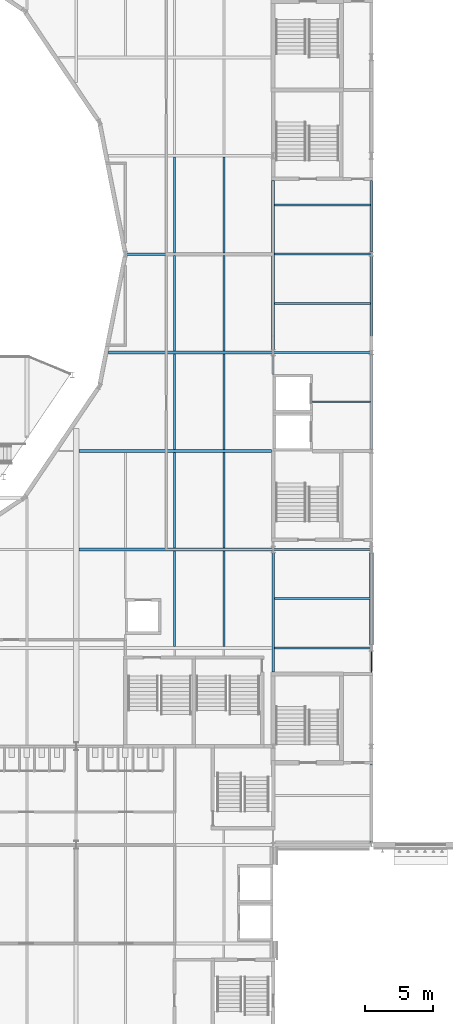
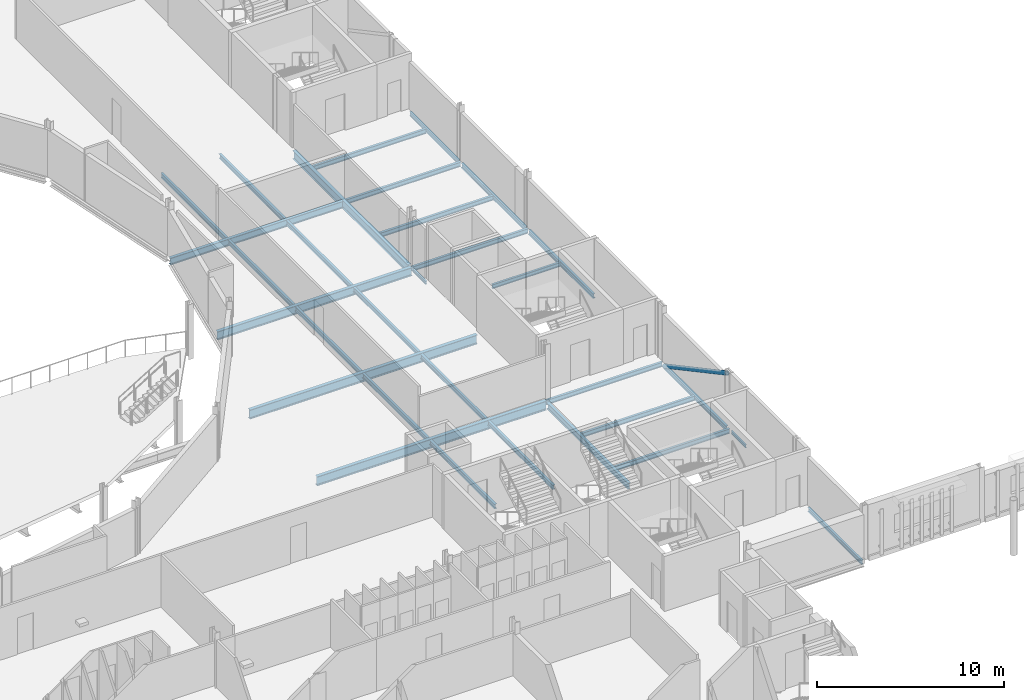
# One storey, part 38 of 124: 31 beams, 1 member.
"""IFC4 building model written with IfcOpenShell, lengths in metres."""

from ifc_helpers import new_model, si_unit, direction, frame, origin, origin_2d, place, context, subcontext, project, spatial, hollow_circle, i_section, extrude, material, material_profile, profile_set, type_object, element, save


model = new_model("IFC4")

# Units and contexts
model_context = context("Model", 3, precision=1e-05, world=origin(), true_north=direction((0.0, 1.0)))
body_context = subcontext(model_context, "Body", "Model", "MODEL_VIEW")
ifc_project = project(units=[si_unit("LENGTHUNIT", "METRE"), si_unit("AREAUNIT", "SQUARE_METRE"), si_unit("VOLUMEUNIT", "CUBIC_METRE"), si_unit("PLANEANGLEUNIT", "RADIAN"), si_unit("MASSUNIT", "GRAM", prefix="KILO")], contexts=[model_context])

# Site, building, storey
site_placement = place(None, origin())
site = spatial("IfcSite", under=ifc_project, at=site_placement, CompositionType="ELEMENT")
building_placement = place(site_placement, origin())
building = spatial("IfcBuilding", under=site, at=building_placement, Name="Kupolbacken Congress Centre", CompositionType="ELEMENT")
storey_placement = place(building_placement, frame((0.0, 0.0, 10.800048828125)))
storey = spatial("IfcBuildingStorey", under=building, at=storey_placement, Name="L03", CompositionType="ELEMENT", Elevation=10.800048828125)

# Beams
ifc_material_1 = material(Name="Steel S355", Category="steel")
ifc_material_profile_1 = material_profile(ifc_material_1, i_section(OverallWidth=0.10009765625, OverallDepth=0.199951171875, WebThickness=0.005615234375, FlangeThickness=0.008544921875, FilletRadius=0.011962890625, at=origin_2d()), Name="IPE 200")
ifc_profile_set_1 = profile_set([ifc_material_profile_1], Name="Steel S355")
beam_type_1 = type_object("IfcBeamType", Name="B01 beam IPE 200", PredefinedType="BEAM", material=ifc_profile_set_1)
beam_1_placement = place(storey_placement, frame((79.199951171875, 77.60009765625, -0.280029296875), z_axis=(0.0, 1.0, 0.0), x_axis=(-1.0, 0.0, 0.0)))
element("IfcBeam", 1, at=beam_1_placement, inside=storey, type_object=beam_type_1, Name="S/floor/P/L03/G034", PredefinedType="BEAM", context=body_context, shape_type="SweptSolid", body=[
    extrude(i_section(OverallWidth=0.10009765625, OverallDepth=0.199951171875, WebThickness=0.005615234375, FlangeThickness=0.008544921875, FilletRadius=0.011962890625, at=origin_2d()), origin(), (0.0, 0.0, 1.0), 1.375),
])
beam_2_placement = place(storey_placement, frame((86.39990234375, 55.800048828125, -0.280029296875), z_axis=(0.0, 1.0, 0.0), x_axis=(-1.0, 0.0, 0.0)))
element("IfcBeam", 2, at=beam_2_placement, inside=storey, type_object=beam_type_1, Name="S/floor/LINK/L03/E002", PredefinedType="BEAM", context=body_context, shape_type="SweptSolid", body=[
    extrude(i_section(OverallWidth=0.10009765625, OverallDepth=0.199951171875, WebThickness=0.005615234375, FlangeThickness=0.008544921875, FilletRadius=0.011962890625, at=origin_2d()), origin(), (0.0, 0.0, 1.0), 1.554931640625),
])
ifc_material_2 = material(Name="Steel S355", Category="steel")
ifc_material_profile_2 = material_profile(ifc_material_2, i_section(OverallWidth=0.135009765625, OverallDepth=0.27001953125, WebThickness=0.006591796875, FlangeThickness=0.01025390625, FilletRadius=0.014892578125, at=origin_2d()), Name="IPE 270")
ifc_profile_set_2 = profile_set([ifc_material_profile_2], Name="Steel S355")
beam_type_2 = type_object("IfcBeamType", Name="B03 beam IPE 270", PredefinedType="BEAM", material=ifc_profile_set_2)
beam_3_placement = place(storey_placement, frame((86.39990234375, 43.344970703125, -0.31494140625), z_axis=(0.0, 1.0, 0.0), x_axis=(-1.0, 0.0, 0.0)))
element("IfcBeam", 3, at=beam_3_placement, inside=storey, type_object=beam_type_2, Name="S/floor/LINK/L03/E001", PredefinedType="BEAM", context=body_context, shape_type="SweptSolid", body=[
    extrude(i_section(OverallWidth=0.135009765625, OverallDepth=0.27001953125, WebThickness=0.006591796875, FlangeThickness=0.01025390625, FilletRadius=0.014892578125, at=origin_2d()), origin(), (0.0, 0.0, 1.0), 5.755126953125),
])
beam_4_placement = place(storey_placement, frame((86.39990234375, 86.544921875, -0.31494140625), z_axis=(0.0, 1.0, 0.0), x_axis=(-1.0, 0.0, 0.0)))
element("IfcBeam", 4, at=beam_4_placement, inside=storey, type_object=beam_type_2, Name="S/floor/LINK/L03/E007", PredefinedType="BEAM", context=body_context, shape_type="SweptSolid", body=[
    extrude(i_section(OverallWidth=0.135009765625, OverallDepth=0.27001953125, WebThickness=0.006591796875, FlangeThickness=0.01025390625, FilletRadius=0.014892578125, at=origin_2d()), origin(), (0.0, 0.0, 1.0), 5.255126953125),
])
beam_5_placement = place(storey_placement, frame((82.10009765625, 75.60009765625, -0.31494140625), z_axis=(1.0, 0.0, 0.0), x_axis=(0.0, 1.0, 0.0)))
element("IfcBeam", 5, at=beam_5_placement, inside=storey, type_object=beam_type_2, Name="S/floor/LINK/L03/R015", PredefinedType="BEAM", context=body_context, shape_type="SweptSolid", body=[
    extrude(i_section(OverallWidth=0.135009765625, OverallDepth=0.27001953125, WebThickness=0.006591796875, FlangeThickness=0.01025390625, FilletRadius=0.014892578125, at=origin_2d()), origin(), (0.0, 0.0, 1.0), 4.224853515625),
])
ifc_material_3 = material(Name="Steel S355", Category="steel")
ifc_material_profile_3 = material_profile(ifc_material_3, i_section(OverallWidth=0.14990234375, OverallDepth=0.300048828125, WebThickness=0.007080078125, FlangeThickness=0.0107421875, FilletRadius=0.014892578125, at=origin_2d()), Name="IPE 300")
ifc_profile_set_3 = profile_set([ifc_material_profile_3], Name="Steel S355")
beam_type_3 = type_object("IfcBeamType", Name="B04 beam IPE 300", PredefinedType="BEAM", material=ifc_profile_set_3)
for number, where, z_axis, x_axis, name in (
    (6, (72.0, 57.7099609375, -0.330078125), (0.0, 1.0, 0.0), (-1.0, 0.0, 0.0), "S/floor/P/L03/S141"),
    (7, (72.0, 64.909912109375, -0.330078125), (0.0, 1.0, 0.0), (-1.0, 0.0, 0.0), "S/floor/P/L03/S142"),
):
    element("IfcBeam", number, at=place(storey_placement, frame(where, z_axis=z_axis, x_axis=x_axis)), inside=storey, type_object=beam_type_3, Name=name, PredefinedType="BEAM", context=body_context, shape_type="SweptSolid", body=[
        extrude(i_section(OverallWidth=0.14990234375, OverallDepth=0.300048828125, WebThickness=0.007080078125, FlangeThickness=0.0107421875, FilletRadius=0.014892578125, at=origin_2d()), origin(), (0.0, 0.0, 1.0), 6.97998046875),
    ])
beam_6_placement = place(storey_placement, frame((72.0, 72.110107421875, -0.330078125), z_axis=(0.0, 1.0, 0.0), x_axis=(-1.0, 0.0, 0.0)))
element("IfcBeam", 8, at=beam_6_placement, inside=storey, type_object=beam_type_3, Name="S/floor/P/L03/S143", PredefinedType="BEAM", context=body_context, shape_type="SweptSolid", body=[
    extrude(i_section(OverallWidth=0.14990234375, OverallDepth=0.300048828125, WebThickness=0.007080078125, FlangeThickness=0.0107421875, FilletRadius=0.014892578125, at=origin_2d()), origin(), (0.0, 0.0, 1.0), 6.98486328125),
])
for number, where, z_axis, x_axis, name in (
    (9, (72.0, 79.304931640625, -0.330078125), (0.0, 1.0, 0.0), (-1.0, 0.0, 0.0), "S/floor/P/L03/S144"),
    (10, (72.0, 86.4951171875, -0.330078125), (0.0, 1.0, 0.0), (-1.0, 0.0, 0.0), "S/floor/P/L03/S145"),
):
    element("IfcBeam", number, at=place(storey_placement, frame(where, z_axis=z_axis, x_axis=x_axis)), inside=storey, type_object=beam_type_3, Name=name, PredefinedType="BEAM", context=body_context, shape_type="SweptSolid", body=[
        extrude(i_section(OverallWidth=0.14990234375, OverallDepth=0.300048828125, WebThickness=0.007080078125, FlangeThickness=0.0107421875, FilletRadius=0.014892578125, at=origin_2d()), origin(), (0.0, 0.0, 1.0), 7.0),
    ])
for number, where, z_axis, x_axis, name in (
    (11, (75.60009765625, 57.7099609375, -0.330078125), (0.0, 1.0, 0.0), (-1.0, 0.0, 0.0), "S/floor/P/L03/S152"),
    (12, (75.60009765625, 64.909912109375, -0.330078125), (0.0, 1.0, 0.0), (-1.0, 0.0, 0.0), "S/floor/P/L03/S153"),
):
    element("IfcBeam", number, at=place(storey_placement, frame(where, z_axis=z_axis, x_axis=x_axis)), inside=storey, type_object=beam_type_3, Name=name, PredefinedType="BEAM", context=body_context, shape_type="SweptSolid", body=[
        extrude(i_section(OverallWidth=0.14990234375, OverallDepth=0.300048828125, WebThickness=0.007080078125, FlangeThickness=0.0107421875, FilletRadius=0.014892578125, at=origin_2d()), origin(), (0.0, 0.0, 1.0), 6.97998046875),
    ])
beam_7_placement = place(storey_placement, frame((75.60009765625, 72.110107421875, -0.330078125), z_axis=(0.0, 1.0, 0.0), x_axis=(-1.0, 0.0, 0.0)))
element("IfcBeam", 13, at=beam_7_placement, inside=storey, type_object=beam_type_3, Name="S/floor/P/L03/S154", PredefinedType="BEAM", context=body_context, shape_type="SweptSolid", body=[
    extrude(i_section(OverallWidth=0.14990234375, OverallDepth=0.300048828125, WebThickness=0.007080078125, FlangeThickness=0.0107421875, FilletRadius=0.014892578125, at=origin_2d()), origin(), (0.0, 0.0, 1.0), 6.98486328125),
])
for number, where, z_axis, x_axis, name in (
    (14, (75.60009765625, 79.304931640625, -0.330078125), (0.0, 1.0, 0.0), (-1.0, 0.0, 0.0), "S/floor/P/L03/S155"),
    (15, (75.60009765625, 86.4951171875, -0.330078125), (0.0, 1.0, 0.0), (-1.0, 0.0, 0.0), "S/floor/P/L03/S156"),
):
    element("IfcBeam", number, at=place(storey_placement, frame(where, z_axis=z_axis, x_axis=x_axis)), inside=storey, type_object=beam_type_3, Name=name, PredefinedType="BEAM", context=body_context, shape_type="SweptSolid", body=[
        extrude(i_section(OverallWidth=0.14990234375, OverallDepth=0.300048828125, WebThickness=0.007080078125, FlangeThickness=0.0107421875, FilletRadius=0.014892578125, at=origin_2d()), origin(), (0.0, 0.0, 1.0), 7.0),
    ])
beam_8_placement = place(storey_placement, frame((86.39990234375, 57.844970703125, -0.330078125), z_axis=(0.0, 1.0, 0.0), x_axis=(-1.0, 0.0, 0.0)))
element("IfcBeam", 16, at=beam_8_placement, inside=storey, type_object=beam_type_3, Name="S/floor/LINK/L03/E003", PredefinedType="BEAM", context=body_context, shape_type="SweptSolid", body=[
    extrude(i_section(OverallWidth=0.14990234375, OverallDepth=0.300048828125, WebThickness=0.007080078125, FlangeThickness=0.0107421875, FilletRadius=0.014892578125, at=origin_2d()), origin(), (0.0, 0.0, 1.0), 6.7099609375),
])
beam_9_placement = place(storey_placement, frame((86.39990234375, 72.10009765625, -0.330078125), z_axis=(0.0, 1.0, 0.0), x_axis=(-1.0, 0.0, 0.0)))
element("IfcBeam", 17, at=beam_9_placement, inside=storey, type_object=beam_type_3, Name="S/floor/LINK/L03/E005", PredefinedType="BEAM", context=body_context, shape_type="SweptSolid", body=[
    extrude(i_section(OverallWidth=0.14990234375, OverallDepth=0.300048828125, WebThickness=0.007080078125, FlangeThickness=0.0107421875, FilletRadius=0.014892578125, at=origin_2d()), origin(), (0.0, 0.0, 1.0), 6.954833984375),
])
beam_10_placement = place(storey_placement, frame((86.39990234375, 79.344970703125, -0.330078125), z_axis=(0.0, 1.0, 0.0), x_axis=(-1.0, 0.0, 0.0)))
element("IfcBeam", 18, at=beam_10_placement, inside=storey, type_object=beam_type_3, Name="S/floor/LINK/L03/E006", PredefinedType="BEAM", context=body_context, shape_type="SweptSolid", body=[
    extrude(i_section(OverallWidth=0.14990234375, OverallDepth=0.300048828125, WebThickness=0.007080078125, FlangeThickness=0.0107421875, FilletRadius=0.014892578125, at=origin_2d()), origin(), (0.0, 0.0, 1.0), 6.909912109375),
])
beam_11_placement = place(storey_placement, frame((79.2900390625, 57.60009765625, -0.330078125), z_axis=(1.0, 0.0, 0.0), x_axis=(0.0, 1.0, 0.0)))
element("IfcBeam", 19, at=beam_11_placement, inside=storey, type_object=beam_type_3, Name="S/floor/LINK/L03/R012", PredefinedType="BEAM", context=body_context, shape_type="SweptSolid", body=[
    extrude(i_section(OverallWidth=0.14990234375, OverallDepth=0.300048828125, WebThickness=0.007080078125, FlangeThickness=0.0107421875, FilletRadius=0.014892578125, at=origin_2d()), origin(), (0.0, 0.0, 1.0), 7.10400390625),
])
beam_12_placement = place(storey_placement, frame((79.2900390625, 61.199951171875, -0.330078125), z_axis=(1.0, 0.0, 0.0), x_axis=(0.0, 1.0, 0.0)))
element("IfcBeam", 20, at=beam_12_placement, inside=storey, type_object=beam_type_3, Name="S/floor/LINK/L03/R013", PredefinedType="BEAM", context=body_context, shape_type="SweptSolid", body=[
    extrude(i_section(OverallWidth=0.14990234375, OverallDepth=0.300048828125, WebThickness=0.007080078125, FlangeThickness=0.0107421875, FilletRadius=0.014892578125, at=origin_2d()), origin(), (0.0, 0.0, 1.0), 7.034912109375),
])
beam_13_placement = place(storey_placement, frame((79.20703125, 64.800048828125, -0.330078125), z_axis=(1.0, 0.0, 0.0), x_axis=(0.0, 1.0, 0.0)))
element("IfcBeam", 21, at=beam_13_placement, inside=storey, type_object=beam_type_3, Name="S/floor/LINK/L03/R014", PredefinedType="BEAM", context=body_context, shape_type="SweptSolid", body=[
    extrude(i_section(OverallWidth=0.14990234375, OverallDepth=0.300048828125, WebThickness=0.007080078125, FlangeThickness=0.0107421875, FilletRadius=0.014892578125, at=origin_2d()), origin(), (0.0, 0.0, 1.0), 7.18701171875),
])
beam_14_placement = place(storey_placement, frame((79.20703125, 79.199951171875, -0.330078125), z_axis=(1.0, 0.0, 0.0), x_axis=(0.0, 1.0, 0.0)))
element("IfcBeam", 22, at=beam_14_placement, inside=storey, type_object=beam_type_3, Name="S/floor/LINK/L03/R016", PredefinedType="BEAM", context=body_context, shape_type="SweptSolid", body=[
    extrude(i_section(OverallWidth=0.14990234375, OverallDepth=0.300048828125, WebThickness=0.007080078125, FlangeThickness=0.0107421875, FilletRadius=0.014892578125, at=origin_2d()), origin(), (0.0, 0.0, 1.0), 7.188720703125),
])
beam_15_placement = place(storey_placement, frame((79.304931640625, 82.800048828125, -0.330078125), z_axis=(1.0, 0.0, 0.0), x_axis=(0.0, 1.0, 0.0)))
element("IfcBeam", 23, at=beam_15_placement, inside=storey, type_object=beam_type_3, Name="S/floor/LINK/L03/R017", PredefinedType="BEAM", context=body_context, shape_type="SweptSolid", body=[
    extrude(i_section(OverallWidth=0.14990234375, OverallDepth=0.300048828125, WebThickness=0.007080078125, FlangeThickness=0.0107421875, FilletRadius=0.014892578125, at=origin_2d()), origin(), (0.0, 0.0, 1.0), 7.02001953125),
])
beam_16_placement = place(storey_placement, frame((79.304931640625, 86.39990234375, -0.330078125), z_axis=(1.0, 0.0, 0.0), x_axis=(0.0, 1.0, 0.0)))
element("IfcBeam", 24, at=beam_16_placement, inside=storey, type_object=beam_type_3, Name="S/floor/LINK/L03/R018", PredefinedType="BEAM", context=body_context, shape_type="SweptSolid", body=[
    extrude(i_section(OverallWidth=0.14990234375, OverallDepth=0.300048828125, WebThickness=0.007080078125, FlangeThickness=0.0107421875, FilletRadius=0.014892578125, at=origin_2d()), origin(), (0.0, 0.0, 1.0), 7.0908203125),
])
beam_17_placement = place(storey_placement, frame((79.304931640625, 90.0, -0.330078125), z_axis=(1.0, 0.0, 0.0), x_axis=(0.0, 1.0, 0.0)))
element("IfcBeam", 25, at=beam_17_placement, inside=storey, type_object=beam_type_3, Name="S/floor/LINK/L03/R019", PredefinedType="BEAM", context=body_context, shape_type="SweptSolid", body=[
    extrude(i_section(OverallWidth=0.14990234375, OverallDepth=0.300048828125, WebThickness=0.007080078125, FlangeThickness=0.0107421875, FilletRadius=0.014892578125, at=origin_2d()), origin(), (0.0, 0.0, 1.0), 7.027587890625),
])
ifc_material_4 = material(Name="Steel S355", Category="steel")
ifc_material_profile_4 = material_profile(ifc_material_4, i_section(OverallWidth=0.179931640625, OverallDepth=0.39990234375, WebThickness=0.008544921875, FlangeThickness=0.013427734375, FilletRadius=0.02099609375, at=origin_2d()), Name="IPE 400")
ifc_profile_set_4 = profile_set([ifc_material_profile_4], Name="Steel S355")
beam_type_4 = type_object("IfcBeamType", Name="B07 beam IPE 400", PredefinedType="BEAM", material=ifc_profile_set_4)
beam_18_placement = place(storey_placement, frame((79.199951171875, 55.85009765625, -0.380126953125), z_axis=(0.0, 1.0, 0.0), x_axis=(-1.0, 0.0, 0.0)))
element("IfcBeam", 26, at=beam_18_placement, inside=storey, type_object=beam_type_4, Name="S/floor/P/L03/G032", PredefinedType="BEAM", context=body_context, shape_type="SweptSolid", body=[
    extrude(i_section(OverallWidth=0.179931640625, OverallDepth=0.39990234375, WebThickness=0.008544921875, FlangeThickness=0.013427734375, FilletRadius=0.02099609375, at=origin_2d()), origin(), (0.0, 0.0, 1.0), 8.724853515625),
])
ifc_material_5 = material(Name="Steel S355", Category="steel")
ifc_material_profile_5 = material_profile(ifc_material_5, i_section(OverallWidth=0.18994140625, OverallDepth=0.449951171875, WebThickness=0.009521484375, FlangeThickness=0.0146484375, FilletRadius=0.02099609375, at=origin_2d()), Name="IPE 450")
ifc_profile_set_5 = profile_set([ifc_material_profile_5], Name="Steel S355")
beam_type_5 = type_object("IfcBeamType", Name="B08 beam IPE 450", PredefinedType="BEAM", material=ifc_profile_set_5)
beam_19_placement = place(storey_placement, frame((68.40673828125, 86.39990234375, -0.405029296875), z_axis=(1.0, 0.0, 0.0), x_axis=(0.0, 1.0, 0.0)))
element("IfcBeam", 27, at=beam_19_placement, inside=storey, type_object=beam_type_5, Name="S/floor/P/L03/R054", PredefinedType="BEAM", context=body_context, shape_type="SweptSolid", body=[
    extrude(i_section(OverallWidth=0.18994140625, OverallDepth=0.449951171875, WebThickness=0.009521484375, FlangeThickness=0.0146484375, FilletRadius=0.02099609375, at=origin_2d()), origin(), (0.0, 0.0, 1.0), 10.688232421875),
])
ifc_material_6 = material(Name="Steel S355", Category="steel")
ifc_material_profile_6 = material_profile(ifc_material_6, i_section(OverallWidth=0.2099609375, OverallDepth=0.550048828125, WebThickness=0.010986328125, FlangeThickness=0.01708984375, FilletRadius=0.02392578125, at=origin_2d()), Name="IPE 550")
ifc_profile_set_6 = profile_set([ifc_material_profile_6], Name="Steel S355")
beam_type_6 = type_object("IfcBeamType", Name="B10 beam IPE 550", PredefinedType="BEAM", material=ifc_profile_set_6)
beam_20_placement = place(storey_placement, frame((79.199951171875, 79.425048828125, -0.455078125), z_axis=(0.0, 1.0, 0.0), x_axis=(-1.0, 0.0, 0.0)))
element("IfcBeam", 28, at=beam_20_placement, inside=storey, type_object=beam_type_6, Name="S/floor/P/L03/G035", PredefinedType="BEAM", context=body_context, shape_type="SweptSolid", body=[
    extrude(i_section(OverallWidth=0.2099609375, OverallDepth=0.550048828125, WebThickness=0.010986328125, FlangeThickness=0.01708984375, FilletRadius=0.02392578125, at=origin_2d()), origin(), (0.0, 0.0, 1.0), 12.349853515625),
])
beam_21_placement = place(storey_placement, frame((67.156005859375, 79.199951171875, -0.455078125), z_axis=(1.0, 0.0, 0.0), x_axis=(0.0, 1.0, 0.0)))
element("IfcBeam", 29, at=beam_21_placement, inside=storey, type_object=beam_type_6, Name="S/floor/P/L03/R052", PredefinedType="BEAM", context=body_context, shape_type="SweptSolid", body=[
    extrude(i_section(OverallWidth=0.2099609375, OverallDepth=0.550048828125, WebThickness=0.010986328125, FlangeThickness=0.01708984375, FilletRadius=0.02392578125, at=origin_2d()), origin(), (0.0, 0.0, 1.0), 12.037109375),
])
ifc_material_7 = material(Name="Steel S355", Category="steel")
ifc_material_profile_7 = material_profile(ifc_material_7, i_section(OverallWidth=0.219970703125, OverallDepth=0.60009765625, WebThickness=0.011962890625, FlangeThickness=0.01904296875, FilletRadius=0.02392578125, at=origin_2d()), Name="IPE 600")
ifc_profile_set_7 = profile_set([ifc_material_profile_7], Name="Steel S355")
beam_type_7 = type_object("IfcBeamType", Name="B11 beam IPE 600", PredefinedType="BEAM", material=ifc_profile_set_7)
beam_22_placement = place(storey_placement, frame((65.0, 64.800048828125, -0.47998046875), z_axis=(1.0, 0.0, 0.0), x_axis=(0.0, 1.0, 0.0)))
element("IfcBeam", 30, at=beam_22_placement, inside=storey, type_object=beam_type_7, Name="S/floor/P/L03/R046", PredefinedType="BEAM", context=body_context, shape_type="SweptSolid", body=[
    extrude(i_section(OverallWidth=0.219970703125, OverallDepth=0.60009765625, WebThickness=0.011962890625, FlangeThickness=0.01904296875, FilletRadius=0.02392578125, at=origin_2d()), origin(), (0.0, 0.0, 1.0), 14.193115234375),
])
beam_23_placement = place(storey_placement, frame((65.0, 72.0, -0.47998046875), z_axis=(1.0, 0.0, 0.0), x_axis=(0.0, 1.0, 0.0)))
element("IfcBeam", 31, at=beam_23_placement, inside=storey, type_object=beam_type_7, Name="S/floor/P/L03/R050", PredefinedType="BEAM", context=body_context, shape_type="SweptSolid", body=[
    extrude(i_section(OverallWidth=0.219970703125, OverallDepth=0.60009765625, WebThickness=0.011962890625, FlangeThickness=0.01904296875, FilletRadius=0.02392578125, at=origin_2d()), origin(), (0.0, 0.0, 1.0), 14.074951171875),
])

# Member
ifc_material_8 = material(Name="Steel S355", Category="steel")
ifc_material_profile_8 = material_profile(ifc_material_8, hollow_circle(Radius=0.136474609375, WallThickness=0.012451171875, at=origin_2d()), Name="CHS 273 x 12.5")
ifc_profile_set_8 = profile_set([ifc_material_profile_8], Name="Steel S355")
member_type = type_object("IfcMemberType", Name="M08 brace CHS 273 x 12.5", PredefinedType="BRACE", material=ifc_profile_set_8)
member_placement = place(storey_placement, frame((86.39990234375, 64.554931640625, -0.330078125), z_axis=(0.0, -0.881180466795, 0.472780059793), x_axis=(1.0, 0.0, 0.0)))
element("IfcMember", 32, at=member_placement, inside=storey, type_object=member_type, Name="S/brace/W/03/04", PredefinedType="BRACE", context=body_context, shape_type="SweptSolid", body=[
    extrude(hollow_circle(Radius=0.136474609375, WallThickness=0.012451171875, at=origin_2d()), origin(), (0.0, 0.0, 1.0), 7.61474609375),
])

save(model, "model.ifc")
